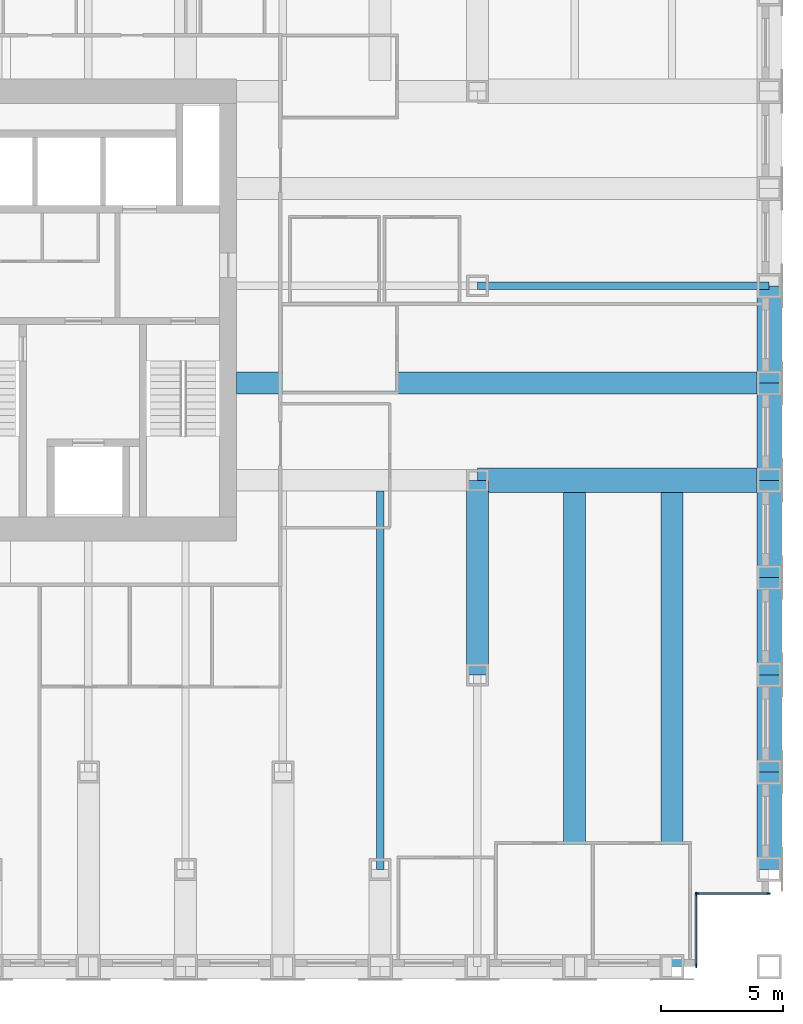
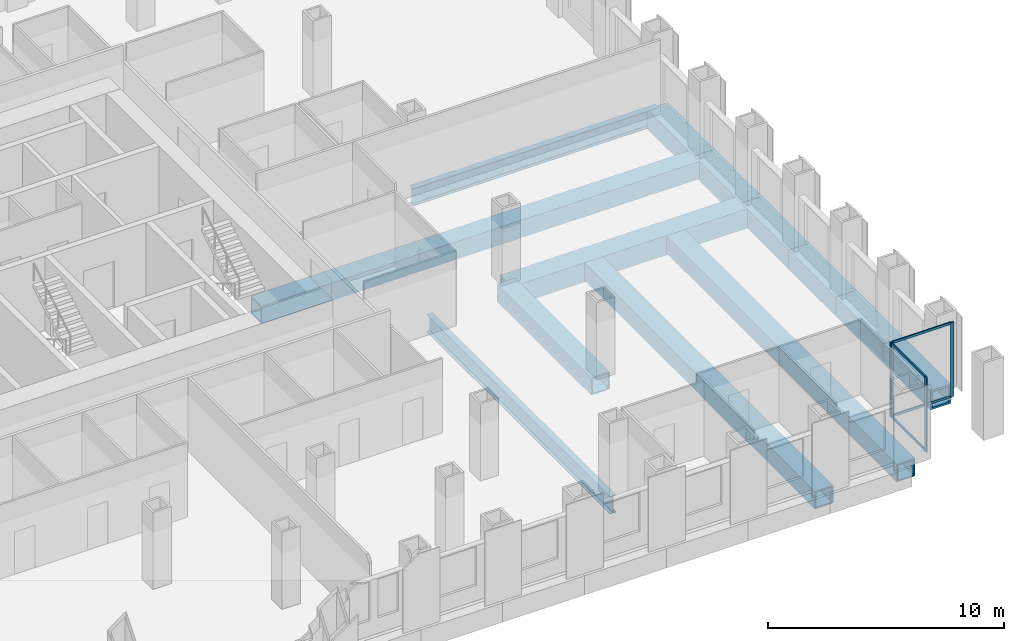
# One storey, part 4 of 16: 13 beams, 8 members, 2 elements without a shape of their own.
"""IFC4 building model written with IfcOpenShell, lengths in metres."""

from ifc_helpers import new_model, si_unit, direction, frame, origin, origin_2d, place, context, subcontext, project, spatial, rectangle, hollow_rectangle, i_section, extrude, material, material_profile, profile_set, type_object, element, aggregate, save


model = new_model("IFC4")

# Units and contexts
model_context = context("Model", 3, precision=1e-05, world=origin(), true_north=direction((0.0, 1.0)))
body_context = subcontext(model_context, "Body", "Model", "MODEL_VIEW")
ifc_project = project(units=[si_unit("LENGTHUNIT", "METRE"), si_unit("AREAUNIT", "SQUARE_METRE"), si_unit("VOLUMEUNIT", "CUBIC_METRE"), si_unit("PLANEANGLEUNIT", "RADIAN"), si_unit("MASSUNIT", "GRAM", prefix="KILO")], contexts=[model_context])

# Site, building, storey
site_placement = place(None, origin())
site = spatial("IfcSite", under=ifc_project, at=site_placement, CompositionType="ELEMENT")
building_placement = place(site_placement, origin())
building = spatial("IfcBuilding", under=site, at=building_placement, Name="Rimbunsela Tower", CompositionType="ELEMENT")
storey_placement = place(building_placement, frame((0.0, 0.0, 93.39990234375)))
storey = spatial("IfcBuildingStorey", under=building, at=storey_placement, Name="L22", CompositionType="ELEMENT", Elevation=93.39990234375)

# Beams
ifc_material_1 = material(Name="Steel BJ 55 (fy 410 MPa)", Category="steel")
ifc_material_profile_1 = material_profile(ifc_material_1, hollow_rectangle(XDim=1.0, YDim=1.0, WallThickness=0.10009765625, at=origin_2d()), Name="BOX 1000x1000x100")
ifc_profile_set_1 = profile_set([ifc_material_profile_1], Name="Steel BJ 55 (fy 410 MPa)")
beam_type_1 = type_object("IfcBeamType", Name="Beam BOX 1000x1000x100", PredefinedType="BEAM", material=ifc_profile_set_1)
beam_1_placement = place(storey_placement, frame((46.0, 20.0, -0.64990234375), z_axis=(1.0, 0.0, 0.0), x_axis=(0.0, 1.0, 0.0)))
element("IfcBeam", 1, at=beam_1_placement, inside=storey, type_object=beam_type_1, Name="Beam B3 L22", PredefinedType="BEAM", context=body_context, shape_type="SweptSolid", body=[
    extrude(hollow_rectangle(XDim=1.0, YDim=1.0, WallThickness=0.10009765625, at=origin_2d()), origin(), (0.0, 0.0, 1.0), 12.0),
])
for number, where, z_axis, x_axis, name in (
    (2, (58.0, 4.0, -0.64990234375), (0.0, 1.0, 0.0), (-1.0, 0.0, 0.0), "Beam B3 L22"),
    (3, (58.0, 8.0, -0.64990234375), (0.0, 1.0, 0.0), (-1.0, 0.0, 0.0), "Beam B3 L22"),
    (4, (58.0, 12.0, -0.64990234375), (0.0, 1.0, 0.0), (-1.0, 0.0, 0.0), "Beam B3 L22"),
    (5, (58.0, 16.0, -0.64990234375), (0.0, 1.0, 0.0), (-1.0, 0.0, 0.0), "Beam B3 L22"),
    (6, (58.0, 20.0, -0.64990234375), (0.0, 1.0, 0.0), (-1.0, 0.0, 0.0), "Beam B3 L22"),
    (7, (58.0, 24.0, -0.64990234375), (0.0, 1.0, 0.0), (-1.0, 0.0, 0.0), "Beam B3 L22"),
):
    element("IfcBeam", number, at=place(storey_placement, frame(where, z_axis=z_axis, x_axis=x_axis)), inside=storey, type_object=beam_type_1, Name=name, PredefinedType="BEAM", context=body_context, shape_type="SweptSolid", body=[
        extrude(hollow_rectangle(XDim=1.0, YDim=1.0, WallThickness=0.10009765625, at=origin_2d()), origin(), (0.0, 0.0, 1.0), 4.0),
    ])
ifc_material_2 = material(Name="Steel BJ 55 (fy 410 MPa)", Category="steel")
ifc_material_profile_2 = material_profile(ifc_material_2, hollow_rectangle(XDim=0.89990234375, YDim=0.89990234375, WallThickness=0.06005859375, at=origin_2d()), Name="BOX 900x900x60")
ifc_profile_set_2 = profile_set([ifc_material_profile_2], Name="Steel BJ 55 (fy 410 MPa)")
beam_type_2 = type_object("IfcBeamType", Name="Beam BOX 900x900x60", PredefinedType="BEAM", material=ifc_profile_set_2)
beam_2_placement = place(storey_placement, frame((36.10009765625, 24.0, -0.599853515625), z_axis=(1.0, 0.0, 0.0), x_axis=(0.0, 1.0, 0.0)))
element("IfcBeam", 8, at=beam_2_placement, inside=storey, type_object=beam_type_2, Name="Beam B1 L22", PredefinedType="BEAM", context=body_context, shape_type="SweptSolid", body=[
    extrude(hollow_rectangle(XDim=0.89990234375, YDim=0.89990234375, WallThickness=0.06005859375, at=origin_2d()), origin(), (0.0, 0.0, 1.0), 21.89990234375),
])
beam_3_placement = place(storey_placement, frame((46.0, 12.0, -0.599853515625), z_axis=(0.0, 1.0, 0.0), x_axis=(-1.0, 0.0, 0.0)))
element("IfcBeam", 9, at=beam_3_placement, inside=storey, type_object=beam_type_2, Name="Beam B1 L22", PredefinedType="BEAM", context=body_context, shape_type="SweptSolid", body=[
    extrude(hollow_rectangle(XDim=0.89990234375, YDim=0.89990234375, WallThickness=0.06005859375, at=origin_2d()), origin(), (0.0, 0.0, 1.0), 8.0),
])
for number, where, z_axis, x_axis, name in (
    (10, (50.0, 0.0, -0.599853515625), (0.0, 1.0, 0.0), (-1.0, 0.0, 0.0), "Beam B1 L22"),
    (11, (54.0, 0.0, -0.599853515625), (0.0, 1.0, 0.0), (-1.0, 0.0, 0.0), "Beam B1 L22"),
):
    element("IfcBeam", number, at=place(storey_placement, frame(where, z_axis=z_axis, x_axis=x_axis)), inside=storey, type_object=beam_type_2, Name=name, PredefinedType="BEAM", context=body_context, shape_type="SweptSolid", body=[
        extrude(hollow_rectangle(XDim=0.89990234375, YDim=0.89990234375, WallThickness=0.06005859375, at=origin_2d()), origin(), (0.0, 0.0, 1.0), 19.5),
    ])
ifc_material_3 = material(Name="Steel BJ 55 (fy 410 MPa)", Category="steel")
ifc_material_profile_3 = material_profile(ifc_material_3, i_section(OverallWidth=0.300048828125, OverallDepth=0.89990234375, WebThickness=0.01611328125, FlangeThickness=0.028076171875, FilletRadius=0.028076171875, at=origin_2d()), Name="H 900x300x16x28")
ifc_profile_set_3 = profile_set([ifc_material_profile_3], Name="Steel BJ 55 (fy 410 MPa)")
beam_type_3 = type_object("IfcBeamType", Name="Beam H 900x300x16x28", PredefinedType="BEAM", material=ifc_profile_set_3)
beam_4_placement = place(storey_placement, frame((42.0, 4.0, -0.599853515625), z_axis=(0.0, 1.0, 0.0), x_axis=(-1.0, 0.0, 0.0)))
element("IfcBeam", 12, at=beam_4_placement, inside=storey, type_object=beam_type_3, Name="Beam B2 L22", PredefinedType="BEAM", context=body_context, shape_type="SweptSolid", body=[
    extrude(i_section(OverallWidth=0.300048828125, OverallDepth=0.89990234375, WebThickness=0.01611328125, FlangeThickness=0.028076171875, FilletRadius=0.028076171875, at=origin_2d()), origin(), (0.0, 0.0, 1.0), 15.550048828125),
])
beam_5_placement = place(storey_placement, frame((46.0, 28.0, -0.599853515625), z_axis=(1.0, 0.0, 0.0), x_axis=(0.0, 1.0, 0.0)))
element("IfcBeam", 13, at=beam_5_placement, inside=storey, type_object=beam_type_3, Name="Beam B2 L22", PredefinedType="BEAM", context=body_context, shape_type="SweptSolid", body=[
    extrude(i_section(OverallWidth=0.300048828125, OverallDepth=0.89990234375, WebThickness=0.01611328125, FlangeThickness=0.028076171875, FilletRadius=0.028076171875, at=origin_2d()), origin(), (0.0, 0.0, 1.0), 12.0),
])

# Curtain wall, members
ifc_material_4 = material(Name="Aluminium curtain wall", Category="aluminium")
curtain_wall_type = type_object("IfcCurtainWallType", Name="Corner glazing", PredefinedType="USERDEFINED", material=ifc_material_4)
curtain_wall_1_placement = place(storey_placement, origin())
curtain_wall_1 = element("IfcCurtainWall", 14, at=curtain_wall_1_placement, inside=storey, type_object=curtain_wall_type, Name="Corner glazing L22", ObjectType="CORNER GLAZING", PredefinedType="USERDEFINED")
ifc_material_5 = material(Name="Aluminium mullion", Category="aluminium")
ifc_material_profile_4 = material_profile(ifc_material_5, rectangle(XDim=0.06005859375, YDim=0.159912109375, at=origin_2d()), Name="Mullion 60x160")
ifc_profile_set_4 = profile_set([ifc_material_profile_4], Name="Aluminium mullion")
member_type_1 = type_object("IfcMemberType", Name="Curtain wall mullion 60x160", PredefinedType="MULLION", material=ifc_profile_set_4)
member_1_placement = place(storey_placement, frame((55.0, 0.030029296875, 0.0), z_axis=(0.0, 0.0, 1.0), x_axis=(-1.0, 0.0, 0.0)))
member_1 = element("IfcMember", 15, at=member_1_placement, type_object=member_type_1, Name="CW5 mullion 1", PredefinedType="MULLION", context=body_context, shape_type="SweptSolid", body=[
    extrude(rectangle(XDim=0.06005859375, YDim=0.159912109375, at=origin_2d()), origin(), (0.0, 0.0, 1.0), 3.85009765625),
])
member_2_placement = place(storey_placement, frame((55.0, 2.969970703125, 0.0), z_axis=(0.0, 0.0, 1.0), x_axis=(-1.0, 0.0, 0.0)))
member_2 = element("IfcMember", 16, at=member_2_placement, type_object=member_type_1, Name="CW5 mullion 2", PredefinedType="MULLION", context=body_context, shape_type="SweptSolid", body=[
    extrude(rectangle(XDim=0.06005859375, YDim=0.159912109375, at=origin_2d()), origin(), (0.0, 0.0, 1.0), 3.85009765625),
])

curtain_wall_2_placement = place(storey_placement, origin())
curtain_wall_2 = element("IfcCurtainWall", 17, at=curtain_wall_2_placement, inside=storey, type_object=curtain_wall_type, Name="Corner glazing L22", ObjectType="CORNER GLAZING", PredefinedType="USERDEFINED")
member_3_placement = place(storey_placement, frame((55.030029296875, 3.0, 0.0), z_axis=(0.0, 0.0, 1.0), x_axis=(0.0, 1.0, 0.0)))
member_3 = element("IfcMember", 18, at=member_3_placement, type_object=member_type_1, Name="CW5 mullion 1", PredefinedType="MULLION", context=body_context, shape_type="SweptSolid", body=[
    extrude(rectangle(XDim=0.06005859375, YDim=0.159912109375, at=origin_2d()), origin(), (0.0, 0.0, 1.0), 3.85009765625),
])
member_4_placement = place(storey_placement, frame((57.969970703125, 3.0, 0.0), z_axis=(0.0, 0.0, 1.0), x_axis=(0.0, 1.0, 0.0)))
member_4 = element("IfcMember", 19, at=member_4_placement, type_object=member_type_1, Name="CW5 mullion 2", PredefinedType="MULLION", context=body_context, shape_type="SweptSolid", body=[
    extrude(rectangle(XDim=0.06005859375, YDim=0.159912109375, at=origin_2d()), origin(), (0.0, 0.0, 1.0), 3.85009765625),
])

# Member
ifc_material_6 = material(Name="Aluminium transom", Category="aluminium")
ifc_material_profile_5 = material_profile(ifc_material_6, rectangle(XDim=0.06005859375, YDim=0.1201171875, at=origin_2d()), Name="Transom 60x120")
ifc_profile_set_5 = profile_set([ifc_material_profile_5], Name="Aluminium transom")
member_type_2 = type_object("IfcMemberType", Name="Curtain wall transom 60x120", PredefinedType="USERDEFINED", material=ifc_profile_set_5)
member_5_placement = place(storey_placement, frame((55.0, 0.06005859375, 0.030029296875), z_axis=(0.0, 1.0, 0.0), x_axis=(-1.0, 0.0, 0.0)))
member_5 = element("IfcMember", 20, at=member_5_placement, type_object=member_type_2, Name="CW5 transom 1.1", ObjectType="TRANSOM", PredefinedType="USERDEFINED", context=body_context, shape_type="SweptSolid", body=[
    extrude(rectangle(XDim=0.06005859375, YDim=0.1201171875, at=origin_2d()), origin(), (0.0, 0.0, 1.0), 2.8798828125),
])

member_6_placement = place(storey_placement, frame((55.0, 0.06005859375, 3.820068359375), z_axis=(0.0, 1.0, 0.0), x_axis=(-1.0, 0.0, 0.0)))
member_6 = element("IfcMember", 21, at=member_6_placement, type_object=member_type_2, Name="CW5 transom 1.2", ObjectType="TRANSOM", PredefinedType="USERDEFINED", context=body_context, shape_type="SweptSolid", body=[
    extrude(rectangle(XDim=0.06005859375, YDim=0.1201171875, at=origin_2d()), origin(), (0.0, 0.0, 1.0), 2.8798828125),
])

aggregate(curtain_wall_1, [member_1, member_2, member_5, member_6])

member_7_placement = place(storey_placement, frame((55.06005859375, 3.0, 0.030029296875), z_axis=(1.0, 0.0, 0.0), x_axis=(0.0, 1.0, 0.0)))
member_7 = element("IfcMember", 22, at=member_7_placement, type_object=member_type_2, Name="CW5 transom 1.1", ObjectType="TRANSOM", PredefinedType="USERDEFINED", context=body_context, shape_type="SweptSolid", body=[
    extrude(rectangle(XDim=0.06005859375, YDim=0.1201171875, at=origin_2d()), origin(), (0.0, 0.0, 1.0), 2.8798828125),
])

member_8_placement = place(storey_placement, frame((55.06005859375, 3.0, 3.820068359375), z_axis=(1.0, 0.0, 0.0), x_axis=(0.0, 1.0, 0.0)))
member_8 = element("IfcMember", 23, at=member_8_placement, type_object=member_type_2, Name="CW5 transom 1.2", ObjectType="TRANSOM", PredefinedType="USERDEFINED", context=body_context, shape_type="SweptSolid", body=[
    extrude(rectangle(XDim=0.06005859375, YDim=0.1201171875, at=origin_2d()), origin(), (0.0, 0.0, 1.0), 2.8798828125),
])

aggregate(curtain_wall_2, [member_3, member_4, member_7, member_8])

save(model, "model.ifc")
